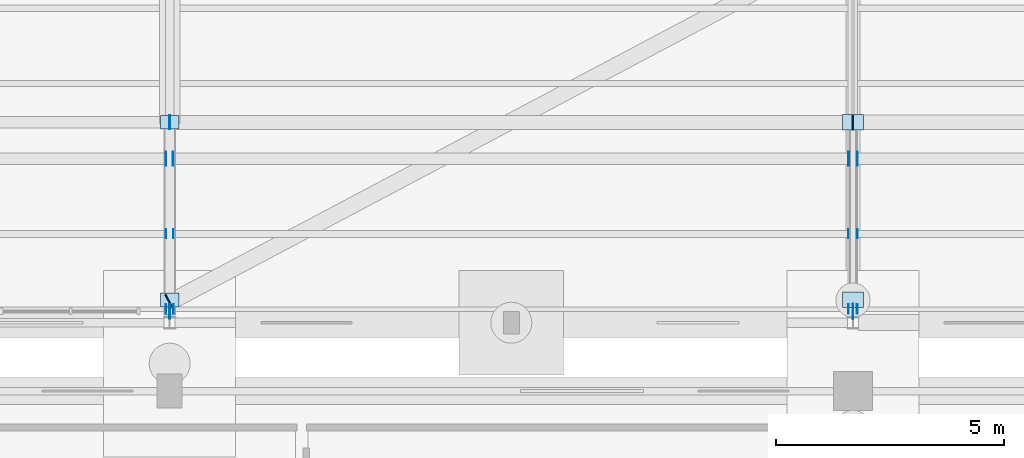
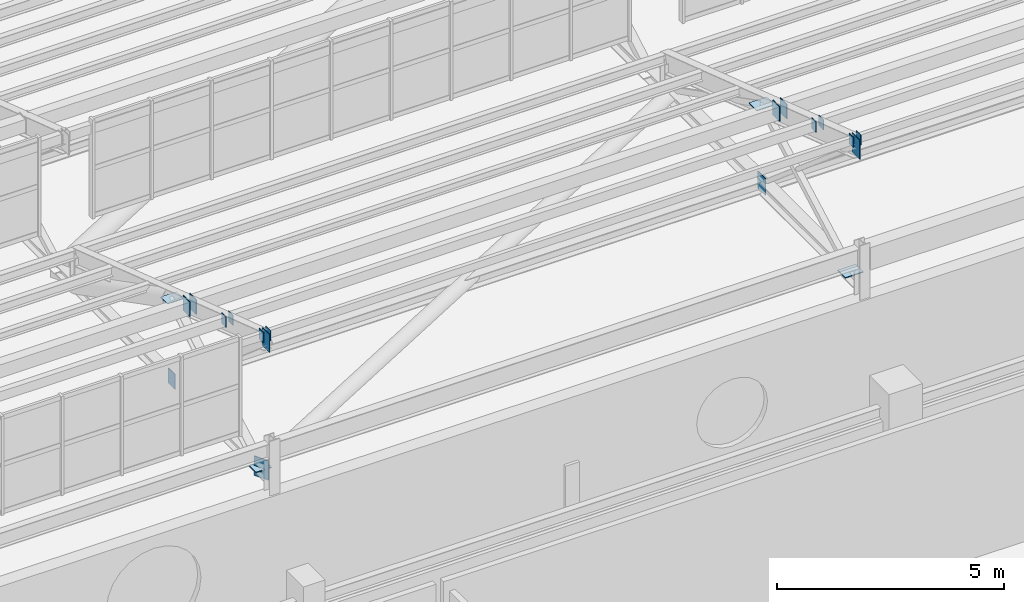
# One storey, part 190 of 285: 21 plates.
"""IFC4 building model written with IfcOpenShell, lengths in metres."""

from ifc_helpers import new_model, si_unit, direction, frame, origin, origin_2d, place, context, subcontext, project, spatial, rectangle, extrude, material, layer, layer_set, type_object, element, save


model = new_model("IFC4")

# Units and contexts
model_context = context("Model", 3, precision=1e-05, world=origin(), true_north=direction((0.0, 1.0)))
body_context = subcontext(model_context, "Body", "Model", "MODEL_VIEW")
ifc_project = project(units=[si_unit("LENGTHUNIT", "METRE"), si_unit("AREAUNIT", "SQUARE_METRE"), si_unit("VOLUMEUNIT", "CUBIC_METRE"), si_unit("PLANEANGLEUNIT", "RADIAN"), si_unit("MASSUNIT", "GRAM", prefix="KILO")], contexts=[model_context])

# Site, building, storey
site_placement = place(None, origin())
site = spatial("IfcSite", under=ifc_project, at=site_placement, CompositionType="ELEMENT")
building_placement = place(site_placement, origin())
building = spatial("IfcBuilding", under=site, at=building_placement, Name="Solanera Park Tramway Depot", CompositionType="ELEMENT")
storey_placement = place(building_placement, origin())
storey = spatial("IfcBuildingStorey", under=building, at=storey_placement, Name="L00", CompositionType="ELEMENT", Elevation=0.0)

# Plates
ifc_material_1 = material(Name="Steel AS/NZS 3679.1 Grade 350", Category="steel")
ifc_layer_1 = layer(ifc_material_1, 0.013916015625)
ifc_layer_set_1 = layer_set([ifc_layer_1], Name="Steel AS/NZS 3679.1 Grade 350")
plate_type_1 = type_object("IfcPlateType", Name="Hollow End Cap and Base Plate 280x200x14", PredefinedType="USERDEFINED", material=ifc_layer_set_1)
for number, where, z_axis, x_axis, name in (
    (1, (44.915771484375, 55.800048828125, 10.033203125), (0.0, 0.0, 1.0), (1.0, 0.0, 0.0), "Hollow Section Welded End Cap Plate #0120"),
    (2, (45.084228515625, 55.800048828125, 10.033203125), (0.0, 0.0, 1.0), (1.0, 0.0, 0.0), "Hollow Section Welded End Cap Plate #0121"),
    (3, (59.90625, 55.800048828125, 10.033203125), (0.0, 0.0, 1.0), (1.0, 0.0, 0.0), "Hollow Section Welded End Cap Plate #0122"),
    (4, (60.09375, 55.800048828125, 10.033203125), (0.0, 0.0, 1.0), (1.0, 0.0, 0.0), "Hollow Section Welded End Cap Plate #0123"),
    (5, (44.915771484375, 57.449951171875, 9.44775390625), (0.0, 0.0, 1.0), (1.0, 0.0, 0.0), "Hollow Section Welded End Cap Plate #0136"),
    (6, (45.084228515625, 57.449951171875, 9.44775390625), (0.0, 0.0, 1.0), (1.0, 0.0, 0.0), "Hollow Section Welded End Cap Plate #0137"),
    (7, (59.90625, 57.449951171875, 9.44775390625), (0.0, 0.0, 1.0), (1.0, 0.0, 0.0), "Hollow Section Welded End Cap Plate #0138"),
    (8, (60.09375, 57.449951171875, 9.44775390625), (0.0, 0.0, 1.0), (1.0, 0.0, 0.0), "Hollow Section Welded End Cap Plate #0139"),
):
    element("IfcPlate", number, at=place(storey_placement, frame(where, z_axis=z_axis, x_axis=x_axis)), inside=storey, type_object=plate_type_1, Name=name, ObjectType="BASE PLATE", PredefinedType="USERDEFINED", context=body_context, shape_type="SweptSolid", body=[
        extrude(rectangle(XDim=0.013916015625, YDim=0.199951171875, at=origin_2d()), origin(), (0.0, 0.0, 1.0), 0.280029296875),
    ])
ifc_material_2 = material(Name="Steel AS/NZS 3679.1 Grade 350", Category="steel")
ifc_layer_2 = layer(ifc_material_2, 0.02001953125)
ifc_layer_set_2 = layer_set([ifc_layer_2], Name="Steel AS/NZS 3679.1 Grade 350")
plate_type_2 = type_object("IfcPlateType", Name="Hollow End Cap and Base Plate 400x300x20", PredefinedType="USERDEFINED", material=ifc_layer_set_2)
plate_1_placement = place(storey_placement, frame((45.0, 59.89990234375, 6.300048828125), z_axis=(0.0, 0.0, 1.0), x_axis=(1.0, 0.0, 0.0)))
element("IfcPlate", 9, at=plate_1_placement, inside=storey, type_object=plate_type_2, Name="Sawtooth Truss Hollow End Cap #0083", ObjectType="BASE PLATE", PredefinedType="USERDEFINED", context=body_context, shape_type="SweptSolid", body=[
    extrude(rectangle(XDim=0.02001953125, YDim=0.300048828125, at=origin_2d()), origin(), (0.0, 0.0, 1.0), 0.39990234375),
])
for number, where, z_axis, x_axis, name in (
    (10, (45.0, 59.89990234375, 8.657470703125), (0.0, 0.0, 1.0), (1.0, 0.0, 0.0), "Sawtooth Truss Node Cap Plate #0085"),
    (11, (45.0, 56.0, 6.489990234375), (0.0, 0.0, 1.0), (1.0, 0.0, 0.0), "Sawtooth Truss Node Cap Plate #0086"),
):
    element("IfcPlate", number, at=place(storey_placement, frame(where, z_axis=z_axis, x_axis=x_axis)), inside=storey, type_object=plate_type_2, Name=name, ObjectType="BASE PLATE", PredefinedType="USERDEFINED", context=body_context, shape_type="SweptSolid", body=[
        extrude(rectangle(XDim=0.39990234375, YDim=0.300048828125, at=origin_2d()), origin(), (0.0, 0.0, 1.0), 0.02001953125),
    ])
for number, where, z_axis, x_axis, name in (
    (12, (44.918701171875, 59.10009765625, 8.76904296875), (0.0, 0.0, 1.0), (1.0, 0.0, 0.0), "Hollow Section Welded End Cap Plate #0152"),
    (13, (45.081298828125, 59.10009765625, 8.76904296875), (0.0, 0.0, 1.0), (1.0, 0.0, 0.0), "Hollow Section Welded End Cap Plate #0153"),
    (14, (59.9091796875, 59.10009765625, 8.76904296875), (0.0, 0.0, 1.0), (1.0, 0.0, 0.0), "Hollow Section Welded End Cap Plate #0154"),
    (15, (60.0908203125, 59.10009765625, 8.76904296875), (0.0, 0.0, 1.0), (1.0, 0.0, 0.0), "Hollow Section Welded End Cap Plate #0155"),
):
    element("IfcPlate", number, at=place(storey_placement, frame(where, z_axis=z_axis, x_axis=x_axis)), inside=storey, type_object=plate_type_2, Name=name, ObjectType="BASE PLATE", PredefinedType="USERDEFINED", context=body_context, shape_type="SweptSolid", body=[
        extrude(rectangle(XDim=0.02001953125, YDim=0.300048828125, at=origin_2d()), origin(), (0.0, 0.0, 1.0), 0.39990234375),
    ])
ifc_material_3 = material(Name="Steel AS/NZS 3679.1 Grade 350", Category="steel")
ifc_layer_3 = layer(ifc_material_3, 0.02197265625)
ifc_layer_set_3 = layer_set([ifc_layer_3], Name="Steel AS/NZS 3679.1 Grade 350")
plate_type_3 = type_object("IfcPlateType", Name="Hollow End Cap and Base Plate 460x340x22", PredefinedType="USERDEFINED", material=ifc_layer_set_3)
plate_2_placement = place(storey_placement, frame((60.0, 59.89990234375, 6.27001953125), z_axis=(0.0, 0.0, 1.0), x_axis=(1.0, 0.0, 0.0)))
element("IfcPlate", 16, at=plate_2_placement, inside=storey, type_object=plate_type_3, Name="Sawtooth Truss Hollow End Cap #0088", ObjectType="BASE PLATE", PredefinedType="USERDEFINED", context=body_context, shape_type="SweptSolid", body=[
    extrude(rectangle(XDim=0.02197265625, YDim=0.340087890625, at=origin_2d()), origin(), (0.0, 0.0, 1.0), 0.4599609375),
])
for number, where, z_axis, x_axis, name in (
    (17, (60.0, 59.89990234375, 8.61865234375), (0.0, 0.0, 1.0), (1.0, 0.0, 0.0), "Sawtooth Truss Node Cap Plate #0090"),
    (18, (60.0, 56.0, 6.489013671875), (0.0, 0.0, 1.0), (1.0, 0.0, 0.0), "Sawtooth Truss Node Cap Plate #0091"),
):
    element("IfcPlate", number, at=place(storey_placement, frame(where, z_axis=z_axis, x_axis=x_axis)), inside=storey, type_object=plate_type_3, Name=name, ObjectType="BASE PLATE", PredefinedType="USERDEFINED", context=body_context, shape_type="SweptSolid", body=[
        extrude(rectangle(XDim=0.4599609375, YDim=0.340087890625, at=origin_2d()), origin(), (0.0, 0.0, 1.0), 0.02197265625),
    ])
ifc_material_4 = material(Name="Steel AS/NZS 3679.1 Grade 350", Category="steel")
ifc_layer_4 = layer(ifc_material_4, 0.02490234375)
ifc_layer_set_4 = layer_set([ifc_layer_4], Name="Steel AS/NZS 3679.1 Grade 350")
plate_type_4 = type_object("IfcPlateType", Name="Hollow End Cap and Base Plate 520x380x25", PredefinedType="USERDEFINED", material=ifc_layer_set_4)
plate_3_placement = place(storey_placement, frame((44.994384765625, 55.946044921875, 6.239990234375), z_axis=(0.0, 0.0, 1.0), x_axis=(0.883520501477, 0.468392488698, 0.0)))
element("IfcPlate", 19, at=plate_3_placement, inside=storey, type_object=plate_type_4, Name="Hollow Section Welded End Cap Plate #0167", ObjectType="BASE PLATE", PredefinedType="USERDEFINED", context=body_context, shape_type="SweptSolid", body=[
    extrude(rectangle(XDim=0.02490234375, YDim=0.3798828125, at=origin_2d()), origin(), (0.0, 0.0, 1.0), 0.52001953125),
])
ifc_material_5 = material(Name="Steel AS/NZS 3679.1 Grade 350", Category="steel")
ifc_layer_5 = layer(ifc_material_5, 0.01806640625)
ifc_layer_set_5 = layer_set([ifc_layer_5], Name="Steel AS/NZS 3679.1 Grade 350")
plate_type_5 = type_object("IfcPlateType", Name="Truss Node Gusset Stiffener 480x320x18", PredefinedType="SHEET", material=ifc_layer_set_5)
plate_4_placement = place(storey_placement, frame((45.0, 55.75, 9.816162109375), z_axis=(0.0, 0.0, 1.0), x_axis=(1.0, 0.0, 0.0)))
element("IfcPlate", 20, at=plate_4_placement, inside=storey, type_object=plate_type_5, Name="Sawtooth Truss Apex Gusset Plate #0082", PredefinedType="SHEET", context=body_context, shape_type="SweptSolid", body=[
    extrude(rectangle(XDim=0.01806640625, YDim=0.320068359375, at=origin_2d()), origin(), (0.0, 0.0, 1.0), 0.47998046875),
])
ifc_material_6 = material(Name="Steel AS/NZS 3679.1 Grade 350", Category="steel")
ifc_layer_6 = layer(ifc_material_6, 0.01806640625)
ifc_layer_set_6 = layer_set([ifc_layer_6], Name="Steel AS/NZS 3679.1 Grade 350")
plate_type_6 = type_object("IfcPlateType", Name="Truss Node Gusset Stiffener 520x340x18", PredefinedType="SHEET", material=ifc_layer_set_6)
plate_5_placement = place(storey_placement, frame((60.0, 55.75, 9.75830078125), z_axis=(0.0, 0.0, 1.0), x_axis=(1.0, 0.0, 0.0)))
element("IfcPlate", 21, at=plate_5_placement, inside=storey, type_object=plate_type_6, Name="Sawtooth Truss Apex Gusset Plate #0087", PredefinedType="SHEET", context=body_context, shape_type="SweptSolid", body=[
    extrude(rectangle(XDim=0.01806640625, YDim=0.340087890625, at=origin_2d()), origin(), (0.0, 0.0, 1.0), 0.52001953125),
])

save(model, "model.ifc")
